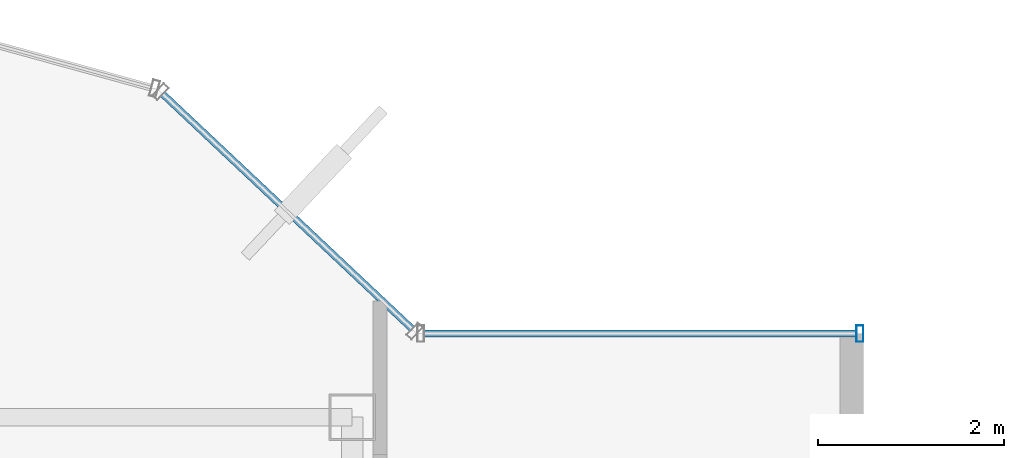
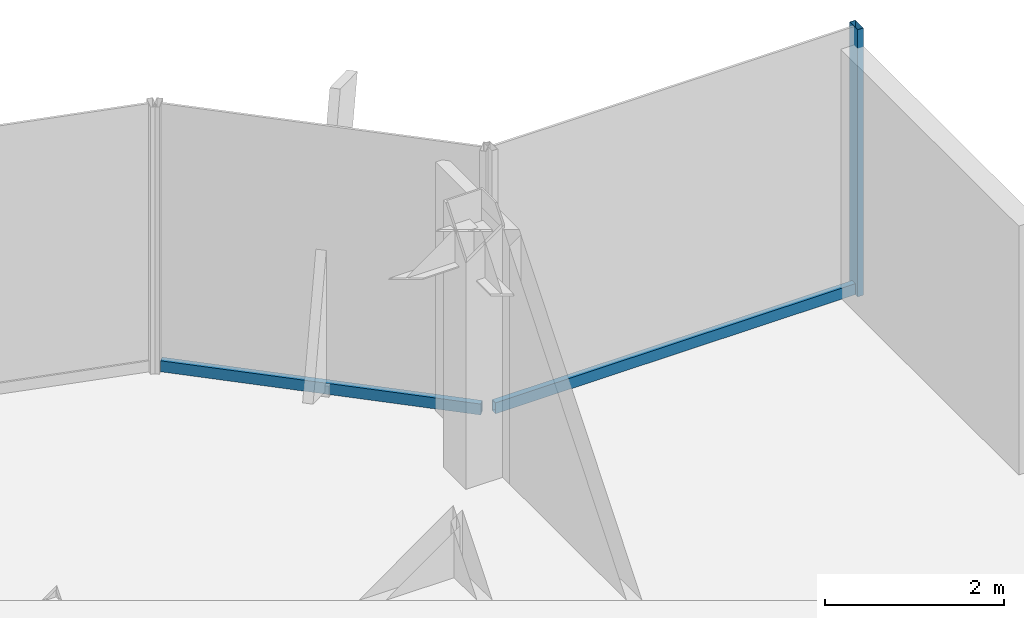
# One storey, part 15 of 22: 3 members, 2 elements without a shape of their own.
"""IFC4 building model written with IfcOpenShell, lengths in metres."""

from ifc_helpers import new_model, si_unit, derived_unit, direction, frame, origin, origin_2d, place, context, subcontext, project, spatial, hollow_rectangle, extrude, source, transform, mapped, material, material_profile, profile_set, type_object, element, aggregate, save


model = new_model("IFC4")

# Units and contexts
model_context = context("Model", 3, precision=1e-05, world=origin(), true_north=direction((0.0, 1.0)))
body_context = subcontext(model_context, "Body", "Model", "MODEL_VIEW")
ifc_project = project(units=[si_unit("LENGTHUNIT", "METRE"), si_unit("AREAUNIT", "SQUARE_METRE"), si_unit("VOLUMEUNIT", "CUBIC_METRE"), si_unit("PLANEANGLEUNIT", "RADIAN"), si_unit("MASSUNIT", "GRAM", prefix="KILO"), derived_unit("THERMALTRANSMITTANCEUNIT", [(si_unit("POWERUNIT", "WATT"), 1), (si_unit("LENGTHUNIT", "METRE"), -2), (si_unit("THERMODYNAMICTEMPERATUREUNIT", "KELVIN"), -1)])], contexts=[model_context])

# Site, building, storey
site_placement = place(None, origin())
site = spatial("IfcSite", under=ifc_project, at=site_placement, CompositionType="ELEMENT")
building_placement = place(site_placement, origin())
building = spatial("IfcBuilding", under=site, at=building_placement, Name="Skarnbrae Concourse Arena and Tower", CompositionType="ELEMENT")
storey_placement = place(building_placement, frame((0.0, 0.0, 240.550048828125)))
storey = spatial("IfcBuildingStorey", under=building, at=storey_placement, Name="L62", CompositionType="ELEMENT", Elevation=240.550048828125)

# Curtain wall, members
ifc_material = material(Name="Bronze anodised aluminium 6063-T6", Category="aluminium")
curtain_wall_type = type_object("IfcCurtainWallType", Name="CW-SYS-05-HIGHZONE", PredefinedType="USERDEFINED", material=ifc_material)
curtain_wall_1_placement = place(storey_placement, origin())
curtain_wall_1 = element("IfcCurtainWall", 1, at=curtain_wall_1_placement, inside=storey, type_object=curtain_wall_type, Name="L62 Unitised curtain wall CW-L62-E07", ObjectType="UNITISED CURTAIN WALL", PredefinedType="USERDEFINED")
ifc_material_profile_1 = material_profile(ifc_material, hollow_rectangle(XDim=0.074951171875, YDim=0.179931640625, WallThickness=0.00390625, at=origin_2d()), Name="ALU-MULL-75X180")
ifc_profile_set_1 = profile_set([ifc_material_profile_1], Name="Bronze anodised aluminium 6063-T6")
member_type_1 = type_object("IfcMemberType", Name="CWM-CW-05", PredefinedType="MULLION", material=ifc_profile_set_1)
shared_shape_1 = source(origin(), body_context, "Body", "SweptSolid", [
    extrude(hollow_rectangle(XDim=0.074951171875, YDim=0.179931640625, WallThickness=0.00390625, at=origin_2d()), origin(), (0.0, 0.0, 1.0), 3.64990234375),
])
member_1_placement = place(storey_placement, frame((38.96240234375, 35.300048828125, 0.0), z_axis=(0.0, 0.0, 1.0), x_axis=(-1.0, 0.0, 0.0)))
member_1 = element("IfcMember", 2, at=member_1_placement, type_object=member_type_1, Name="CW-L62-E07 Mullion 1", PredefinedType="MULLION", context=body_context, shape_type="MappedRepresentation", body=[
    mapped(shared_shape_1, transform((0.0, 0.0, 0.0))),
])
ifc_material_profile_2 = material_profile(ifc_material, hollow_rectangle(XDim=0.074951171875, YDim=0.14990234375, WallThickness=0.00390625, at=origin_2d()), Name="ALU-TRAN-75X150")
ifc_profile_set_2 = profile_set([ifc_material_profile_2], Name="Bronze anodised aluminium 6063-T6")
member_type_2 = type_object("IfcMemberType", Name="CWT-CW-05", PredefinedType="USERDEFINED", material=ifc_profile_set_2)
shared_shape_2 = source(origin(), body_context, "Body", "SweptSolid", [
    extrude(hollow_rectangle(XDim=0.074951171875, YDim=0.14990234375, WallThickness=0.00390625, at=origin_2d()), origin(), (0.0, 0.0, 1.0), 4.650146484375),
])
member_2_placement = place(storey_placement, frame((38.925048828125, 35.300048828125, 0.074951171875), z_axis=(-1.0, 0.0, 0.0), x_axis=(0.0, -1.0, 0.0)))
member_2 = element("IfcMember", 3, at=member_2_placement, type_object=member_type_2, Name="CW-L62-E07 Transom 1", ObjectType="TRANSOM", PredefinedType="USERDEFINED", context=body_context, shape_type="MappedRepresentation", body=[
    mapped(shared_shape_2, transform((0.0, 0.0, 0.0))),
])
aggregate(curtain_wall_1, [member_1, member_2])

# Curtain wall, member
curtain_wall_2_placement = place(storey_placement, origin())
curtain_wall_2 = element("IfcCurtainWall", 4, at=curtain_wall_2_placement, inside=storey, type_object=curtain_wall_type, Name="L62 Unitised curtain wall CW-L62-E08", ObjectType="UNITISED CURTAIN WALL", PredefinedType="USERDEFINED")
shared_shape_3 = source(origin(), body_context, "Body", "SweptSolid", [
    extrude(hollow_rectangle(XDim=0.074951171875, YDim=0.14990234375, WallThickness=0.00390625, at=origin_2d()), origin(), (0.0, 0.0, 1.0), 3.68212890625),
])
member_3_placement = place(storey_placement, frame((34.1455078125, 35.351318359375, 0.074951171875), z_axis=(-0.728133808476, 0.685435012933, 0.0), x_axis=(-0.685435012933, -0.728133808476, 0.0)))
member_3 = element("IfcMember", 5, at=member_3_placement, type_object=member_type_2, Name="CW-L62-E08 Transom 1", ObjectType="TRANSOM", PredefinedType="USERDEFINED", context=body_context, shape_type="MappedRepresentation", body=[
    mapped(shared_shape_3, transform((0.0, 0.0, 0.0))),
])
aggregate(curtain_wall_2, [member_3])

save(model, "model.ifc")
